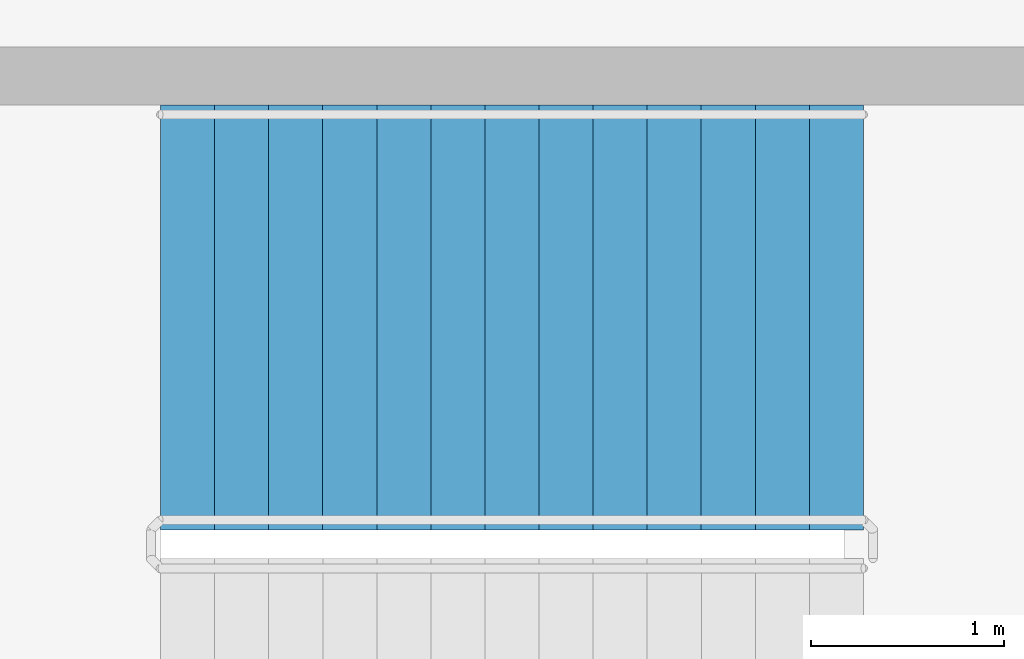
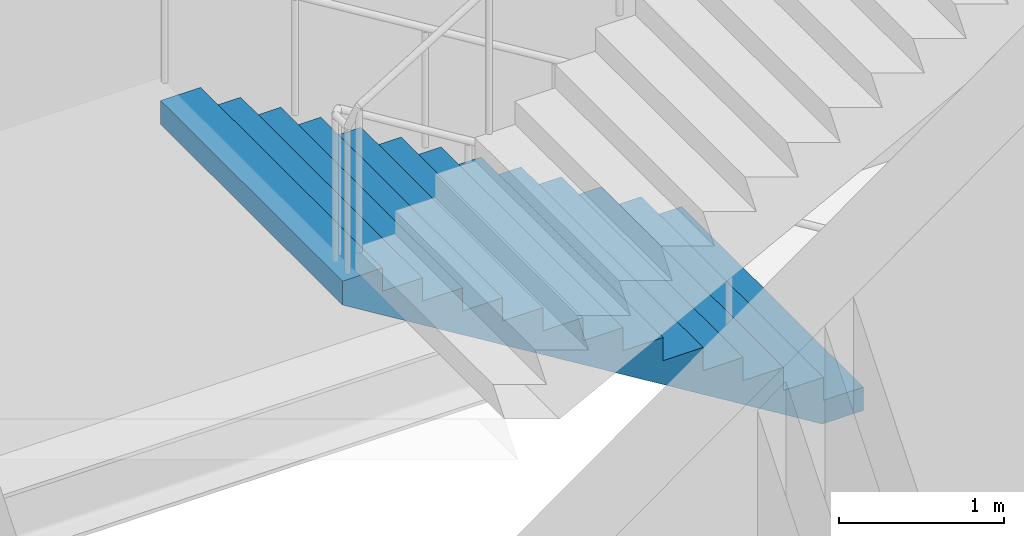
# One storey, part 36 of 39: 1 stair flight, 1 element without a shape of its own.
"""IFC4 building model written with IfcOpenShell, lengths in metres."""

from ifc_helpers import new_model, si_unit, direction, frame, origin, place, context, subcontext, project, spatial, polyline, outline, extrude, material, type_object, element, aggregate, save


model = new_model("IFC4")

# Units and contexts
model_context = context("Model", 3, precision=1e-05, world=origin(), true_north=direction((0.0, 1.0)))
body_context = subcontext(model_context, "Body", "Model", "MODEL_VIEW")
ifc_project = project(units=[si_unit("LENGTHUNIT", "METRE"), si_unit("AREAUNIT", "SQUARE_METRE"), si_unit("VOLUMEUNIT", "CUBIC_METRE"), si_unit("PLANEANGLEUNIT", "RADIAN"), si_unit("MASSUNIT", "GRAM", prefix="KILO")], contexts=[model_context])

# Site, building, storey
site_placement = place(None, origin())
site = spatial("IfcSite", under=ifc_project, at=site_placement, CompositionType="ELEMENT")
building_placement = place(site_placement, origin())
building = spatial("IfcBuilding", under=site, at=building_placement, Name="Saffron Gate Tower", CompositionType="ELEMENT")
storey_placement = place(building_placement, frame((0.0, 0.0, 14.39990234375)))
storey = spatial("IfcBuildingStorey", under=building, at=storey_placement, Name="L02", CompositionType="ELEMENT", Elevation=14.39990234375)

# Stair, stair flight
ifc_material = material(Name="Concrete C40", Category="concrete")
stair_type = type_object("IfcStairType", Name="ST11 Stair 2200 wide, 28 risers of 171", PredefinedType="HALF_TURN_STAIR", material=ifc_material)
stair_placement = place(storey_placement, origin())
stair = element("IfcStair", 1, at=stair_placement, inside=storey, type_object=stair_type, Name="L02 Exit stair I", PredefinedType="HALF_TURN_STAIR")
stair_flight_type = type_object("IfcStairFlightType", Name="SF7 Stair flight 2200 wide, riser 171 going 280", PredefinedType="STRAIGHT", material=ifc_material)
stair_flight_placement = place(storey_placement, frame((138.0, 85.47509765625, 0.0), z_axis=(0.0, 0.0, 1.0), x_axis=(-1.0, 0.0, 0.0)))
stair_flight = element("IfcStairFlight", 2, at=stair_flight_placement, type_object=stair_flight_type, Name="ST-I flight 1", NumberOfRisers=14, NumberOfTreads=13, PredefinedType="STRAIGHT", RiserHeight=0.171428571, TreadLength=0.28, context=body_context, shape_type="SweptSolid", body=[
    extrude(outline(polyline([(0.0, 0.0), (0.0, 0.17138671875), (0.280029296875, 0.17138671875), (0.280029296875, 0.3427734375), (0.56005859375, 0.3427734375), (0.56005859375, 0.514404296875), (0.840087890625, 0.514404296875), (0.840087890625, 0.685791015625), (1.1201171875, 0.685791015625), (1.1201171875, 0.857177734375), (1.39990234375, 0.857177734375), (1.39990234375, 1.028564453125), (1.679931640625, 1.028564453125), (1.679931640625, 1.199951171875), (1.9599609375, 1.199951171875), (1.9599609375, 1.371337890625), (2.239990234375, 1.371337890625), (2.239990234375, 1.54296875), (2.52001953125, 1.54296875), (2.52001953125, 1.71435546875), (2.800048828125, 1.71435546875), (2.800048828125, 1.8857421875), (3.080078125, 1.8857421875), (3.080078125, 2.05712890625), (3.360107421875, 2.05712890625), (3.360107421875, 2.228515625), (3.639892578125, 2.228515625), (3.639892578125, 2.39990234375), (3.639892578125, 2.052734375), (0.287109375, 0.0), (0.0, 0.0)])), frame((0.0, 1.10009765625, 0.0), z_axis=(0.0, -1.0, 0.0), x_axis=(1.0, 0.0, 0.0)), (0.0, 0.0, 1.0), 2.199951171875),
])
aggregate(stair, [stair_flight])

save(model, "model.ifc")
